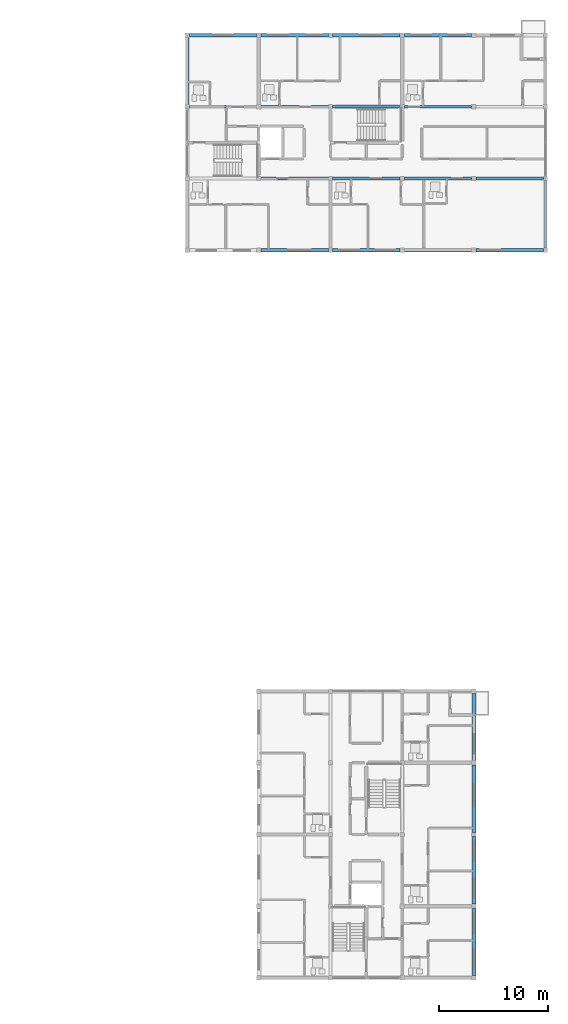
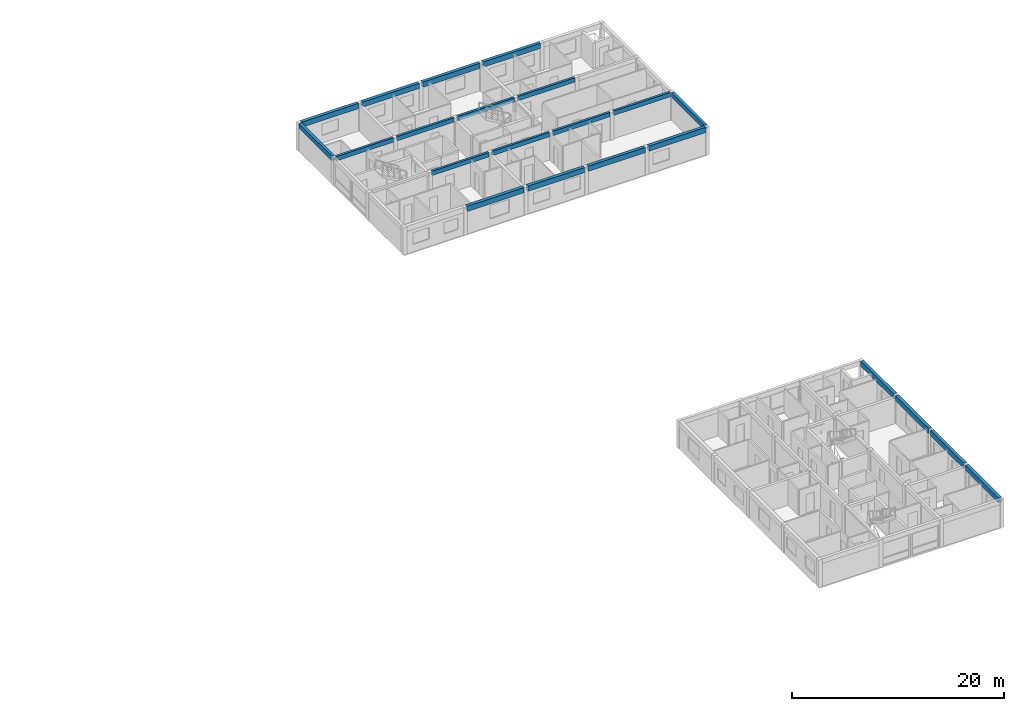
# One storey, part 13 of 34: 22 beams.
"""IFC4 building model written with IfcOpenShell, lengths in metres."""

from ifc_helpers import new_model, si_unit, direction, frame, origin, origin_2d, place, context, subcontext, project, spatial, rectangle, extrude, material, material_profile, profile_set, type_object, element, save


model = new_model("IFC4")

# Units and contexts
model_context = context("Model", 3, precision=1e-05, world=origin(), true_north=direction((0.0, 1.0)))
body_context = subcontext(model_context, "Body", "Model", "MODEL_VIEW")
ifc_project = project(units=[si_unit("LENGTHUNIT", "METRE"), si_unit("AREAUNIT", "SQUARE_METRE"), si_unit("VOLUMEUNIT", "CUBIC_METRE"), si_unit("PLANEANGLEUNIT", "RADIAN"), si_unit("MASSUNIT", "GRAM", prefix="KILO")], contexts=[model_context])

# Site, building, storey
site_placement = place(None, origin())
site = spatial("IfcSite", under=ifc_project, at=site_placement, CompositionType="ELEMENT")
building_placement = place(site_placement, origin())
building = spatial("IfcBuilding", under=site, at=building_placement, Name="Kernevlak Ridge Housing Community", CompositionType="ELEMENT")
storey_placement = place(building_placement, frame((0.0, 0.0, 34.0)))
storey = spatial("IfcBuildingStorey", under=building, at=storey_placement, Name="L10", CompositionType="ELEMENT", Elevation=34.0)

# Beams
ifc_material = material(Name="Concrete C35/45", Category="concrete")
ifc_material_profile_1 = material_profile(ifc_material, rectangle(XDim=0.25, YDim=0.5, at=origin_2d()), Name="RC 250x500")
ifc_profile_set_1 = profile_set([ifc_material_profile_1], Name="Concrete C35/45")
beam_type_1 = type_object("IfcBeamType", Name="B-06", PredefinedType="T_BEAM", material=ifc_profile_set_1)
for number, where, z_axis, x_axis, name in (
    (1, (126.199951171875, 89.199951171875, 2.949951171875), (1.0, 0.0, 0.0), (0.0, 1.0, 0.0), "Beam B-06 L10 843"),
    (2, (132.800048828125, 89.199951171875, 2.949951171875), (1.0, 0.0, 0.0), (0.0, 1.0, 0.0), "Beam B-06 L10 844"),
):
    element("IfcBeam", number, at=place(storey_placement, frame(where, z_axis=z_axis, x_axis=x_axis)), inside=storey, type_object=beam_type_1, Name=name, PredefinedType="T_BEAM", context=body_context, shape_type="SweptSolid", body=[
        extrude(rectangle(XDim=0.25, YDim=0.5, at=origin_2d()), origin(), (0.0, 0.0, 1.0), 6.199951171875),
    ])
beam_1_placement = place(storey_placement, frame((139.39990234375, 89.199951171875, 2.949951171875), z_axis=(1.0, 0.0, 0.0), x_axis=(0.0, 1.0, 0.0)))
element("IfcBeam", 3, at=beam_1_placement, inside=storey, type_object=beam_type_1, Name="Beam B-06 L10 845", PredefinedType="T_BEAM", context=body_context, shape_type="SweptSolid", body=[
    extrude(rectangle(XDim=0.25, YDim=0.5, at=origin_2d()), origin(), (0.0, 0.0, 1.0), 6.2001953125),
])
for number, where, z_axis, x_axis, name in (
    (4, (146.0, 89.199951171875, 2.949951171875), (1.0, 0.0, 0.0), (0.0, 1.0, 0.0), "Beam B-06 L10 846"),
    (5, (119.60009765625, 95.800048828125, 2.949951171875), (1.0, 0.0, 0.0), (0.0, 1.0, 0.0), "Beam B-06 L10 847"),
    (6, (126.199951171875, 95.800048828125, 2.949951171875), (1.0, 0.0, 0.0), (0.0, 1.0, 0.0), "Beam B-06 L10 848"),
    (7, (132.800048828125, 95.800048828125, 2.949951171875), (1.0, 0.0, 0.0), (0.0, 1.0, 0.0), "Beam B-06 L10 849"),
):
    element("IfcBeam", number, at=place(storey_placement, frame(where, z_axis=z_axis, x_axis=x_axis)), inside=storey, type_object=beam_type_1, Name=name, PredefinedType="T_BEAM", context=body_context, shape_type="SweptSolid", body=[
        extrude(rectangle(XDim=0.25, YDim=0.5, at=origin_2d()), origin(), (0.0, 0.0, 1.0), 6.199951171875),
    ])
beam_2_placement = place(storey_placement, frame((139.39990234375, 95.800048828125, 2.949951171875), z_axis=(1.0, 0.0, 0.0), x_axis=(0.0, 1.0, 0.0)))
element("IfcBeam", 8, at=beam_2_placement, inside=storey, type_object=beam_type_1, Name="Beam B-06 L10 850", PredefinedType="T_BEAM", context=body_context, shape_type="SweptSolid", body=[
    extrude(rectangle(XDim=0.25, YDim=0.5, at=origin_2d()), origin(), (0.0, 0.0, 1.0), 6.2001953125),
])
ifc_material_profile_2 = material_profile(ifc_material, rectangle(XDim=0.300048828125, YDim=0.550048828125, at=origin_2d()), Name="RC 300x550")
ifc_profile_set_2 = profile_set([ifc_material_profile_2], Name="Concrete C35/45")
beam_type_2 = type_object("IfcBeamType", Name="SP-01", PredefinedType="SPANDREL", material=ifc_profile_set_2)
for number, where, z_axis, x_axis, name in (
    (9, (119.39990234375, 96.0, 2.925048828125), (0.0, 1.0, 0.0), (-1.0, 0.0, 0.0), "Beam SP-01 L10 859"),
    (10, (152.39990234375, 82.800048828125, 2.925048828125), (0.0, 1.0, 0.0), (-1.0, 0.0, 0.0), "Beam SP-01 L10 860"),
):
    element("IfcBeam", number, at=place(storey_placement, frame(where, z_axis=z_axis, x_axis=x_axis)), inside=storey, type_object=beam_type_2, Name=name, PredefinedType="SPANDREL", context=body_context, shape_type="SweptSolid", body=[
        extrude(rectangle(XDim=0.300048828125, YDim=0.550048828125, at=origin_2d()), origin(), (0.0, 0.0, 1.0), 6.199951171875),
    ])
ifc_material_profile_3 = material_profile(ifc_material, rectangle(XDim=0.35009765625, YDim=0.60009765625, at=origin_2d()), Name="RC 350x600")
ifc_profile_set_3 = profile_set([ifc_material_profile_3], Name="Concrete C35/45")
beam_type_3 = type_object("IfcBeamType", Name="SP-03", PredefinedType="SPANDREL", material=ifc_profile_set_3)
for number, where, z_axis, x_axis, name in (
    (11, (126.199951171875, 82.60009765625, 2.89990234375), (1.0, 0.0, 0.0), (0.0, 1.0, 0.0), "Beam SP-03 L10 838"),
    (12, (132.800048828125, 82.60009765625, 2.89990234375), (1.0, 0.0, 0.0), (0.0, 1.0, 0.0), "Beam SP-03 L10 839"),
):
    element("IfcBeam", number, at=place(storey_placement, frame(where, z_axis=z_axis, x_axis=x_axis)), inside=storey, type_object=beam_type_3, Name=name, PredefinedType="SPANDREL", context=body_context, shape_type="SweptSolid", body=[
        extrude(rectangle(XDim=0.35009765625, YDim=0.60009765625, at=origin_2d()), origin(), (0.0, 0.0, 1.0), 6.199951171875),
    ])
beam_3_placement = place(storey_placement, frame((139.39990234375, 82.60009765625, 2.89990234375), z_axis=(1.0, 0.0, 0.0), x_axis=(0.0, 1.0, 0.0)))
element("IfcBeam", 13, at=beam_3_placement, inside=storey, type_object=beam_type_3, Name="Beam SP-03 L10 840", PredefinedType="SPANDREL", context=body_context, shape_type="SweptSolid", body=[
    extrude(rectangle(XDim=0.35009765625, YDim=0.60009765625, at=origin_2d()), origin(), (0.0, 0.0, 1.0), 6.2001953125),
])
for number, where, z_axis, x_axis, name in (
    (14, (146.0, 82.60009765625, 2.89990234375), (1.0, 0.0, 0.0), (0.0, 1.0, 0.0), "Beam SP-03 L10 841"),
    (15, (119.60009765625, 102.39990234375, 2.89990234375), (1.0, 0.0, 0.0), (0.0, 1.0, 0.0), "Beam SP-03 L10 852"),
    (16, (126.199951171875, 102.39990234375, 2.89990234375), (1.0, 0.0, 0.0), (0.0, 1.0, 0.0), "Beam SP-03 L10 853"),
    (17, (132.800048828125, 102.39990234375, 2.89990234375), (1.0, 0.0, 0.0), (0.0, 1.0, 0.0), "Beam SP-03 L10 854"),
):
    element("IfcBeam", number, at=place(storey_placement, frame(where, z_axis=z_axis, x_axis=x_axis)), inside=storey, type_object=beam_type_3, Name=name, PredefinedType="SPANDREL", context=body_context, shape_type="SweptSolid", body=[
        extrude(rectangle(XDim=0.35009765625, YDim=0.60009765625, at=origin_2d()), origin(), (0.0, 0.0, 1.0), 6.199951171875),
    ])
beam_4_placement = place(storey_placement, frame((139.39990234375, 102.39990234375, 2.89990234375), z_axis=(1.0, 0.0, 0.0), x_axis=(0.0, 1.0, 0.0)))
element("IfcBeam", 18, at=beam_4_placement, inside=storey, type_object=beam_type_3, Name="Beam SP-03 L10 855", PredefinedType="SPANDREL", context=body_context, shape_type="SweptSolid", body=[
    extrude(rectangle(XDim=0.35009765625, YDim=0.60009765625, at=origin_2d()), origin(), (0.0, 0.0, 1.0), 6.2001953125),
])
beam_5_placement = place(storey_placement, frame((145.800048828125, 15.800048828125, 2.89990234375), z_axis=(0.0, 1.0, 0.0), x_axis=(-1.0, 0.0, 0.0)))
element("IfcBeam", 19, at=beam_5_placement, inside=storey, type_object=beam_type_3, Name="Beam SP-03 L10 1234", PredefinedType="SPANDREL", context=body_context, shape_type="SweptSolid", body=[
    extrude(rectangle(XDim=0.35009765625, YDim=0.60009765625, at=origin_2d()), origin(), (0.0, 0.0, 1.0), 6.199951171875),
])
beam_6_placement = place(storey_placement, frame((145.800048828125, 22.39990234375, 2.89990234375), z_axis=(0.0, 1.0, 0.0), x_axis=(-1.0, 0.0, 0.0)))
element("IfcBeam", 20, at=beam_6_placement, inside=storey, type_object=beam_type_3, Name="Beam SP-03 L10 1235", PredefinedType="SPANDREL", context=body_context, shape_type="SweptSolid", body=[
    extrude(rectangle(XDim=0.35009765625, YDim=0.60009765625, at=origin_2d()), origin(), (0.0, 0.0, 1.0), 6.2001953125),
])
for number, where, z_axis, x_axis, name in (
    (21, (145.800048828125, 29.0, 2.89990234375), (0.0, 1.0, 0.0), (-1.0, 0.0, 0.0), "Beam SP-03 L10 1236"),
    (22, (145.800048828125, 35.60009765625, 2.89990234375), (0.0, 1.0, 0.0), (-1.0, 0.0, 0.0), "Beam SP-03 L10 1237"),
):
    element("IfcBeam", number, at=place(storey_placement, frame(where, z_axis=z_axis, x_axis=x_axis)), inside=storey, type_object=beam_type_3, Name=name, PredefinedType="SPANDREL", context=body_context, shape_type="SweptSolid", body=[
        extrude(rectangle(XDim=0.35009765625, YDim=0.60009765625, at=origin_2d()), origin(), (0.0, 0.0, 1.0), 6.199951171875),
    ])

save(model, "model.ifc")
